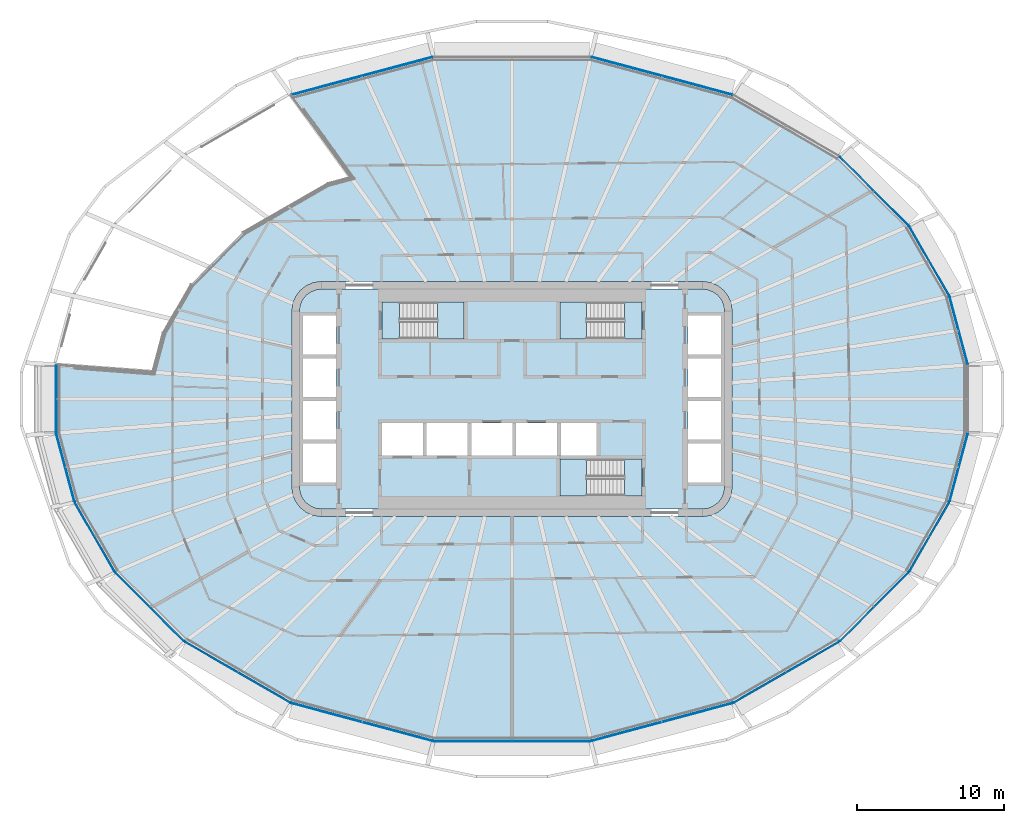
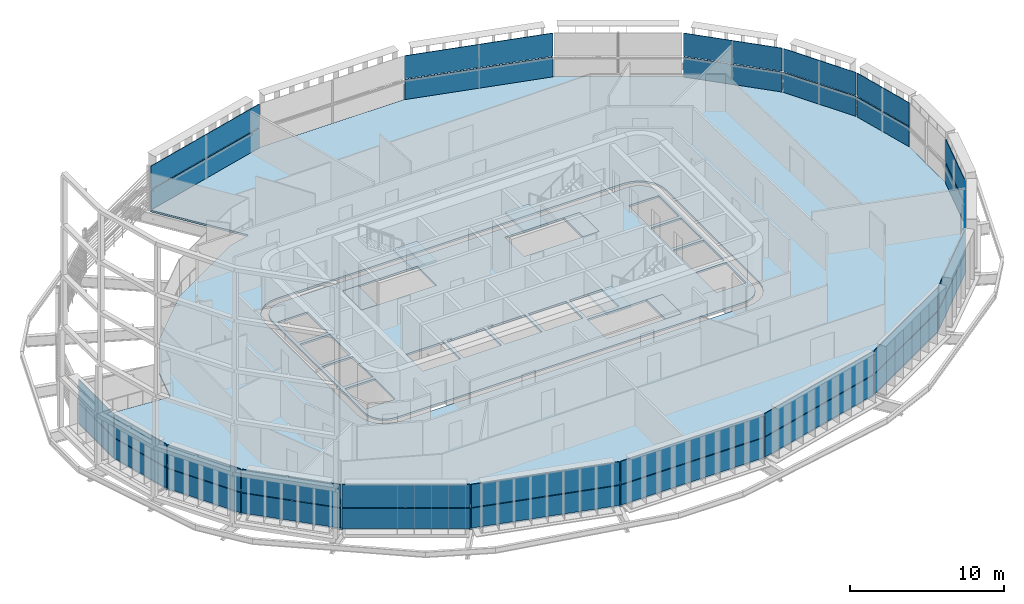
# One storey, part 10 of 22: 34 plates, 8 slabs, 20 elements without a shape of their own.
"""IFC4 building model written with IfcOpenShell, lengths in metres."""

from ifc_helpers import new_model, si_unit, direction, frame, origin, place, context, subcontext, project, spatial, polyline, outline, extrude, material, layer, layer_set, type_object, element, aggregate, save


model = new_model("IFC4")

# Units and contexts
model_context = context("Model", 3, precision=1e-05, world=origin(), true_north=direction((0.0, 1.0)))
body_context = subcontext(model_context, "Body", "Model", "MODEL_VIEW")
ifc_project = project(units=[si_unit("LENGTHUNIT", "METRE"), si_unit("AREAUNIT", "SQUARE_METRE"), si_unit("VOLUMEUNIT", "CUBIC_METRE"), si_unit("PLANEANGLEUNIT", "RADIAN"), si_unit("MASSUNIT", "GRAM", prefix="KILO")], contexts=[model_context])

# Site, building, storey
site_placement = place(None, origin())
site = spatial("IfcSite", under=ifc_project, at=site_placement, CompositionType="ELEMENT")
building_placement = place(site_placement, origin())
building = spatial("IfcBuilding", under=site, at=building_placement, Name="Sahrelin Media Tower", CompositionType="ELEMENT")
storey_placement = place(building_placement, frame((0.0, 0.0, 177.60009765625)))
storey = spatial("IfcBuildingStorey", under=building, at=storey_placement, Name="L37", CompositionType="ELEMENT", Elevation=177.60009765625)

# Slabs
ifc_material_1 = material(Name="Concrete C40/50", Category="concrete")
ifc_layer_1 = layer(ifc_material_1, 0.14990234375)
ifc_layer_set_1 = layer_set([ifc_layer_1], Name="Composite floor slab 150")
slab_type_1 = type_object("IfcSlabType", Name="Composite floor slab 150", PredefinedType="FLOOR", material=ifc_layer_set_1)
placement_1 = place(storey_placement, frame((0.0, 0.0, -0.150146484375)))
element("IfcSlab", 1, at=placement_1, inside=storey, type_object=slab_type_1, Name="Floor slab L37", PredefinedType="FLOOR", context=body_context, shape_type="SweptSolid", body=[
    extrude(outline(polyline([(29.80615234375, -7.005126953125), (31.061767578125, -2.319091796875), (31.061767578125, 2.319091796875), (29.80615234375, 7.005126953125), (27.0458984375, 11.7861328125), (22.30224609375, 16.52978515625), (15.060302734375, 20.7109375), (5.3798828125, 23.3046875), (-5.3798828125, 23.3046875), (-15.055419921875, 20.71240234375), (-10.973876953125, 15.097412109375), (-12.55908203125, 14.672607421875), (-18.323486328125, 11.344482421875), (-21.860595703125, 7.807373046875), (-23.767822265625, 4.50390625), (-24.484619140625, 1.8291015625), (-31.061279296875, 2.3203125), (-31.061767578125, 2.319091796875), (-31.061767578125, -2.319091796875), (-29.80615234375, -7.005126953125), (-27.0458984375, -11.7861328125), (-22.30224609375, -16.52978515625), (-15.060302734375, -20.7109375), (-5.3798828125, -23.3046875), (5.3798828125, -23.3046875), (15.060302734375, -20.7109375), (22.30224609375, -16.52978515625), (27.0458984375, -11.7861328125), (29.80615234375, -7.005126953125)]), holes=[polyline([(14.732177734375, 7.0), (14.931884765625, 6.517578125), (15.0, 6.0), (15.0, -6.0), (14.931884765625, -6.517578125), (14.732177734375, -7.0), (14.414306640625, -7.414306640625), (14.0, -7.732177734375), (13.517578125, -7.931884765625), (13.0, -8.0), (-13.0, -8.0), (-13.517578125, -7.931884765625), (-14.0, -7.732177734375), (-14.414306640625, -7.414306640625), (-14.732177734375, -7.0), (-14.931884765625, -6.517578125), (-15.0, -6.0), (-15.0, 6.0), (-14.931884765625, 6.517578125), (-14.732177734375, 7.0), (-14.414306640625, 7.414306640625), (-14.0, 7.732177734375), (-13.517578125, 7.931884765625), (-13.0, 8.0), (13.0, 8.0), (13.517578125, 7.931884765625), (14.0, 7.732177734375), (14.414306640625, 7.414306640625), (14.732177734375, 7.0)])]), origin(), (0.0, 0.0, 1.0), 0.150146484375),
])
ifc_layer_2 = layer(ifc_material_1, 0.14990234375)
ifc_layer_set_2 = layer_set([ifc_layer_2], Name="Core floor slab 150")
slab_type_2 = type_object("IfcSlabType", Name="Core floor slab 150", PredefinedType="FLOOR", material=ifc_layer_set_2)
element("IfcSlab", 2, at=placement_1, inside=storey, type_object=slab_type_2, Name="Core floor", PredefinedType="FLOOR", context=body_context, shape_type="SweptSolid", body=[
    extrude(outline(polyline([(-14.44482421875, 6.38720703125), (-14.5, 5.96728515625), (-14.5, -5.96728515625), (-14.44482421875, -6.38720703125), (-14.29541015625, -6.747802734375), (-14.0576171875, -7.0576171875), (-13.747802734375, -7.29541015625), (-13.38720703125, -7.44482421875), (-12.96728515625, -7.5), (12.96728515625, -7.5), (13.38720703125, -7.44482421875), (13.747802734375, -7.29541015625), (14.0576171875, -7.0576171875), (14.29541015625, -6.747802734375), (14.44482421875, -6.38720703125), (14.5, -5.96728515625), (14.5, 5.96728515625), (14.44482421875, 6.38720703125), (14.29541015625, 6.747802734375), (14.0576171875, 7.0576171875), (13.747802734375, 7.29541015625), (13.38720703125, 7.44482421875), (12.96728515625, 7.5), (-12.96728515625, 7.5), (-13.38720703125, 7.44482421875), (-13.747802734375, 7.29541015625), (-14.0576171875, 7.0576171875), (-14.29541015625, 6.747802734375), (-14.44482421875, 6.38720703125)]), holes=[polyline([(-12.0, 3.02490234375), (-12.0, 5.675048828125), (-14.25, 5.675048828125), (-14.25, 3.02490234375), (-12.0, 3.02490234375)]), polyline([(-14.25, 0.125), (-12.0, 0.125), (-12.0, 2.77490234375), (-14.25, 2.77490234375), (-14.25, 0.125)]), polyline([(-14.25, -0.125), (-14.25, -2.77490234375), (-12.0, -2.77490234375), (-12.0, -0.125), (-14.25, -0.125)]), polyline([(-12.0, -3.02490234375), (-14.25, -3.02490234375), (-14.25, -5.675048828125), (-12.0, -5.675048828125), (-12.0, -3.02490234375)]), polyline([(14.25, 3.02490234375), (14.25, 5.675048828125), (12.0, 5.675048828125), (12.0, 3.02490234375), (14.25, 3.02490234375)]), polyline([(12.0, 0.125), (14.25, 0.125), (14.25, 2.77490234375), (12.0, 2.77490234375), (12.0, 0.125)]), polyline([(12.0, -0.125), (12.0, -2.77490234375), (14.25, -2.77490234375), (14.25, -0.125), (12.0, -0.125)]), polyline([(14.25, -3.02490234375), (12.0, -3.02490234375), (12.0, -5.675048828125), (14.25, -5.675048828125), (14.25, -3.02490234375)]), polyline([(-6.074951171875, -3.85009765625), (-6.074951171875, -1.64990234375), (-8.875, -1.64990234375), (-8.875, -3.85009765625), (-6.074951171875, -3.85009765625)]), polyline([(-5.824951171875, -3.85009765625), (-3.02490234375, -3.85009765625), (-3.02490234375, -1.64990234375), (-5.824951171875, -1.64990234375), (-5.824951171875, -3.85009765625)]), polyline([(-2.77490234375, -1.64990234375), (-2.77490234375, -3.85009765625), (0.02490234375, -3.85009765625), (0.02490234375, -1.64990234375), (-2.77490234375, -1.64990234375)]), polyline([(3.074951171875, -1.64990234375), (0.27490234375, -1.64990234375), (0.27490234375, -3.85009765625), (3.074951171875, -3.85009765625), (3.074951171875, -1.64990234375)]), polyline([(5.77490234375, -3.85009765625), (5.77490234375, -1.64990234375), (3.324951171875, -1.64990234375), (3.324951171875, -3.85009765625), (5.77490234375, -3.85009765625)]), polyline([(-8.875, 6.60009765625), (-8.875, 4.10009765625), (-3.27490234375, 4.10009765625), (-3.27490234375, 6.60009765625), (-8.875, 6.60009765625)]), polyline([(3.27490234375, 4.10009765625), (8.875, 4.10009765625), (8.875, 6.60009765625), (3.27490234375, 6.60009765625), (3.27490234375, 4.10009765625)]), polyline([(3.27490234375, -4.10009765625), (3.27490234375, -6.60009765625), (8.875, -6.60009765625), (8.875, -4.10009765625), (3.27490234375, -4.10009765625)])]), origin(), (0.0, 0.0, 1.0), 0.150146484375),
])

# Curtain wall, plate
ifc_material_2 = material(Name="Champagne anodised aluminium 6063-T6", Category="aluminium")
ifc_layer_3 = layer(ifc_material_2, 0.14990234375)
ifc_layer_set_3 = layer_set([ifc_layer_3], Name="Tower ribbon curtain wall")
curtain_wall_type = type_object("IfcCurtainWallType", Name="Tower ribbon curtain wall", PredefinedType="NOTDEFINED", material=ifc_layer_set_3)
curtain_wall_1_placement = place(storey_placement, frame((30.453369140625, 4.667236328125, 0.0), z_axis=(0.0, 0.0, 1.0), x_axis=(1.0, 0.0, 0.0)))
curtain_wall_1 = element("IfcCurtainWall", 3, at=curtain_wall_1_placement, inside=storey, type_object=curtain_wall_type, Name="L37:CW:L37-01", PredefinedType="NOTDEFINED")
ifc_material_3 = material(Name="Clear low-iron glazing", Category="glass")
ifc_layer_4 = layer(ifc_material_3, 0.0439453125)
ifc_layer_set_4 = layer_set([ifc_layer_4], Name="Glazing panel 44 mm CW1B")
plate_type_1 = type_object("IfcPlateType", Name="Glazing panel 44 mm CW1B", PredefinedType="CURTAIN_PANEL", material=ifc_layer_set_4)
plate_1_placement = place(storey_placement, frame((31.088134765625, 2.375244140625, 1.6298828125), z_axis=(0.965932701942, 0.258793383452, 0.0), x_axis=(-0.258793383452, 0.965932701942, 0.0)))
plate_1 = element("IfcPlate", 4, at=plate_1_placement, type_object=plate_type_1, Name="L37:CWP2:L37-01", PredefinedType="CURTAIN_PANEL", context=body_context, shape_type="SweptSolid", body=[
    extrude(outline(polyline([(0.0, 0.0), (4.756591796875, 0.0), (4.756591796875, 1.818603515625), (0.0, 1.818603515625), (0.0, 0.0)])), origin(), (0.0, 0.0, -1.0), 0.0439453125),
])

curtain_wall_2_placement = place(storey_placement, frame((28.443359375, 9.405517578125, 0.0), z_axis=(0.0, 0.0, 1.0), x_axis=(1.0, 0.0, 0.0)))
curtain_wall_2 = element("IfcCurtainWall", 5, at=curtain_wall_2_placement, inside=storey, type_object=curtain_wall_type, Name="L37:CW:L37-02", PredefinedType="NOTDEFINED")
plate_2_placement = place(storey_placement, frame((29.817138671875, 7.066162109375, 1.6298828125), z_axis=(0.866010998129, 0.500024950497, 0.0), x_axis=(-0.500024950497, 0.866010998129, 0.0)))
plate_2 = element("IfcPlate", 6, at=plate_2_placement, type_object=plate_type_1, Name="L37:CWP2:L37-02", PredefinedType="CURTAIN_PANEL", context=body_context, shape_type="SweptSolid", body=[
    extrude(outline(polyline([(0.0, 0.0), (5.426025390625, 0.0), (5.426025390625, 1.818603515625), (0.0, 1.818603515625), (0.0, 0.0)])), origin(), (0.0, 0.0, -1.0), 0.0439453125),
])

curtain_wall_3_placement = place(storey_placement, frame((24.688232421875, 14.172119140625, 0.0), z_axis=(0.0, 0.0, 1.0), x_axis=(1.0, 0.0, 0.0)))
curtain_wall_3 = element("IfcCurtainWall", 7, at=curtain_wall_3_placement, inside=storey, type_object=curtain_wall_type, Name="L37:CW:L37-03", PredefinedType="NOTDEFINED")
plate_3_placement = place(storey_placement, frame((27.04052734375, 11.847900390625, 1.6298828125), z_axis=(0.707125237963, 0.707088323929, 0.0), x_axis=(-0.707088323929, 0.707125237963, 0.0)))
plate_3 = element("IfcPlate", 8, at=plate_3_placement, type_object=plate_type_1, Name="L37:CWP2:L37-03", PredefinedType="CURTAIN_PANEL", context=body_context, shape_type="SweptSolid", body=[
    extrude(outline(polyline([(0.0, 0.0), (6.61376953125, 0.0), (6.61376953125, 1.818603515625), (0.0, 1.818603515625), (0.0, 0.0)])), origin(), (0.0, 0.0, -1.0), 0.0439453125),
])

curtain_wall_4_placement = place(storey_placement, frame((10.22509765625, 22.027099609375, 0.0), z_axis=(0.0, 0.0, 1.0), x_axis=(1.0, 0.0, 0.0)))
curtain_wall_4 = element("IfcCurtainWall", 9, at=curtain_wall_4_placement, inside=storey, type_object=curtain_wall_type, Name="L37:CW:L37-05", PredefinedType="NOTDEFINED")
plate_4_placement = place(storey_placement, frame((15.02490234375, 20.761962890625, 1.6298828125), z_axis=(0.258796730474, 0.965931805199, 0.0), x_axis=(-0.965931805199, 0.258796730474, 0.0)))
plate_4 = element("IfcPlate", 10, at=plate_4_placement, type_object=plate_type_1, Name="L37:CWP2:L37-05", PredefinedType="CURTAIN_PANEL", context=body_context, shape_type="SweptSolid", body=[
    extrude(outline(polyline([(0.0, 0.0), (9.927001953125, 0.0), (9.927001953125, 1.818603515625), (0.0, 1.818603515625), (0.0, 0.0)])), origin(), (0.0, 0.0, -1.0), 0.0439453125),
])

curtain_wall_5_placement = place(storey_placement, frame((-10.22509765625, 22.027099609375, 0.0), z_axis=(0.0, 0.0, 1.0), x_axis=(1.0, 0.0, 0.0)))
curtain_wall_5 = element("IfcCurtainWall", 11, at=curtain_wall_5_placement, inside=storey, type_object=curtain_wall_type, Name="L37:CW:L37-07", PredefinedType="NOTDEFINED")
plate_5_placement = place(storey_placement, frame((-5.43603515625, 23.3310546875, 1.6298828125), z_axis=(-0.258796730474, 0.965931805199, 0.0), x_axis=(-0.965931805199, -0.258796730474, 0.0)))
plate_5 = element("IfcPlate", 12, at=plate_5_placement, type_object=plate_type_1, Name="L37:CWP2:L37-07", PredefinedType="CURTAIN_PANEL", context=body_context, shape_type="SweptSolid", body=[
    extrude(outline(polyline([(0.0, 0.0), (9.927001953125, 0.0), (9.927001953125, 1.818603515625), (0.0, 1.818603515625), (0.0, 0.0)])), origin(), (0.0, 0.0, -1.0), 0.0439453125),
])

curtain_wall_6_placement = place(storey_placement, frame((-31.081787109375, 0.0, 0.0), z_axis=(0.0, 0.0, 1.0), x_axis=(1.0, 0.0, 0.0)))
curtain_wall_6 = element("IfcCurtainWall", 13, at=curtain_wall_6_placement, inside=storey, type_object=curtain_wall_type, Name="L37:CW:L37-12", PredefinedType="NOTDEFINED")
plate_6_placement = place(storey_placement, frame((-31.101806640625, 2.271728515625, 1.6298828125), z_axis=(-1.0, 0.0, 0.0), x_axis=(0.0, -1.0, 0.0)))
plate_6 = element("IfcPlate", 14, at=plate_6_placement, type_object=plate_type_1, Name="L37:CWP2:L37-12", PredefinedType="CURTAIN_PANEL", context=body_context, shape_type="SweptSolid", body=[
    extrude(outline(polyline([(0.0, 0.0), (4.54345703125, 0.0), (4.54345703125, 1.818603515625), (0.0, 1.818603515625), (0.0, 0.0)])), origin(), (0.0, 0.0, -1.0), 0.0439453125),
])

curtain_wall_7_placement = place(storey_placement, frame((-30.453369140625, -4.667236328125, 0.0), z_axis=(0.0, 0.0, 1.0), x_axis=(1.0, 0.0, 0.0)))
curtain_wall_7 = element("IfcCurtainWall", 15, at=curtain_wall_7_placement, inside=storey, type_object=curtain_wall_type, Name="L37:CW:L37-13", PredefinedType="NOTDEFINED")
plate_7_placement = place(storey_placement, frame((-31.088134765625, -2.375244140625, 1.6298828125), z_axis=(-0.965932701942, -0.258793383452, 0.0), x_axis=(0.258793383452, -0.965932701942, 0.0)))
plate_7 = element("IfcPlate", 16, at=plate_7_placement, type_object=plate_type_1, Name="L37:CWP2:L37-13", PredefinedType="CURTAIN_PANEL", context=body_context, shape_type="SweptSolid", body=[
    extrude(outline(polyline([(0.0, 0.0), (4.756591796875, 0.0), (4.756591796875, 1.818603515625), (0.0, 1.818603515625), (0.0, 0.0)])), origin(), (0.0, 0.0, -1.0), 0.0439453125),
])

curtain_wall_8_placement = place(storey_placement, frame((-28.443359375, -9.405517578125, 0.0), z_axis=(0.0, 0.0, 1.0), x_axis=(1.0, 0.0, 0.0)))
curtain_wall_8 = element("IfcCurtainWall", 17, at=curtain_wall_8_placement, inside=storey, type_object=curtain_wall_type, Name="L37:CW:L37-14", PredefinedType="NOTDEFINED")
plate_8_placement = place(storey_placement, frame((-29.817138671875, -7.066162109375, 1.6298828125), z_axis=(-0.866010998129, -0.500024950497, 0.0), x_axis=(0.500024950497, -0.866010998129, 0.0)))
plate_8 = element("IfcPlate", 18, at=plate_8_placement, type_object=plate_type_1, Name="L37:CWP2:L37-14", PredefinedType="CURTAIN_PANEL", context=body_context, shape_type="SweptSolid", body=[
    extrude(outline(polyline([(0.0, 0.0), (5.426025390625, 0.0), (5.426025390625, 1.818603515625), (0.0, 1.818603515625), (0.0, 0.0)])), origin(), (0.0, 0.0, -1.0), 0.0439453125),
])

curtain_wall_9_placement = place(storey_placement, frame((-24.688232421875, -14.172119140625, 0.0), z_axis=(0.0, 0.0, 1.0), x_axis=(1.0, 0.0, 0.0)))
curtain_wall_9 = element("IfcCurtainWall", 19, at=curtain_wall_9_placement, inside=storey, type_object=curtain_wall_type, Name="L37:CW:L37-15", PredefinedType="NOTDEFINED")
plate_9_placement = place(storey_placement, frame((-27.04052734375, -11.847900390625, 1.6298828125), z_axis=(-0.707125237963, -0.707088323929, 0.0), x_axis=(0.707088323929, -0.707125237963, 0.0)))
plate_9 = element("IfcPlate", 20, at=plate_9_placement, type_object=plate_type_1, Name="L37:CWP2:L37-15", PredefinedType="CURTAIN_PANEL", context=body_context, shape_type="SweptSolid", body=[
    extrude(outline(polyline([(0.0, 0.0), (6.61376953125, 0.0), (6.61376953125, 1.818603515625), (0.0, 1.818603515625), (0.0, 0.0)])), origin(), (0.0, 0.0, -1.0), 0.0439453125),
])

curtain_wall_10_placement = place(storey_placement, frame((-18.691162109375, -18.6376953125, 0.0), z_axis=(0.0, 0.0, 1.0), x_axis=(1.0, 0.0, 0.0)))
curtain_wall_10 = element("IfcCurtainWall", 21, at=curtain_wall_10_placement, inside=storey, type_object=curtain_wall_type, Name="L37:CW:L37-16", PredefinedType="NOTDEFINED")
plate_10_placement = place(storey_placement, frame((-22.28125, -16.588134765625, 1.6298828125), z_axis=(-0.499988291006, -0.866032163869, 0.0), x_axis=(0.866032163869, -0.499988291006, 0.0)))
plate_10 = element("IfcPlate", 22, at=plate_10_placement, type_object=plate_type_1, Name="L37:CWP2:L37-16", PredefinedType="CURTAIN_PANEL", context=body_context, shape_type="SweptSolid", body=[
    extrude(outline(polyline([(0.0, 0.0), (8.267822265625, 0.0), (8.267822265625, 1.818603515625), (0.0, 1.818603515625), (0.0, 0.0)])), origin(), (0.0, 0.0, -1.0), 0.0439453125),
])

curtain_wall_11_placement = place(storey_placement, frame((-10.22509765625, -22.027099609375, 0.0), z_axis=(0.0, 0.0, 1.0), x_axis=(1.0, 0.0, 0.0)))
curtain_wall_11 = element("IfcCurtainWall", 23, at=curtain_wall_11_placement, inside=storey, type_object=curtain_wall_type, Name="L37:CW:L37-17", PredefinedType="NOTDEFINED")
plate_11_placement = place(storey_placement, frame((-15.02490234375, -20.761962890625, 1.6298828125), z_axis=(-0.258796730474, -0.965931805199, 0.0), x_axis=(0.965931805199, -0.258796730474, 0.0)))
plate_11 = element("IfcPlate", 24, at=plate_11_placement, type_object=plate_type_1, Name="L37:CWP2:L37-17", PredefinedType="CURTAIN_PANEL", context=body_context, shape_type="SweptSolid", body=[
    extrude(outline(polyline([(0.0, 0.0), (9.927001953125, 0.0), (9.927001953125, 1.818603515625), (0.0, 1.818603515625), (0.0, 0.0)])), origin(), (0.0, 0.0, -1.0), 0.0439453125),
])

curtain_wall_12_placement = place(storey_placement, frame((0.0, -23.32470703125, 0.0), z_axis=(0.0, 0.0, 1.0), x_axis=(1.0, 0.0, 0.0)))
curtain_wall_12 = element("IfcCurtainWall", 25, at=curtain_wall_12_placement, inside=storey, type_object=curtain_wall_type, Name="L37:CW:L37-18", PredefinedType="NOTDEFINED")
plate_12_placement = place(storey_placement, frame((-5.33251953125, -23.3447265625, 1.6298828125), z_axis=(0.0, -1.0, 0.0), x_axis=(1.0, 0.0, 0.0)))
plate_12 = element("IfcPlate", 26, at=plate_12_placement, type_object=plate_type_1, Name="L37:CWP2:L37-18", PredefinedType="CURTAIN_PANEL", context=body_context, shape_type="SweptSolid", body=[
    extrude(outline(polyline([(0.0, 0.0), (10.6650390625, 0.0), (10.6650390625, 1.818603515625), (0.0, 1.818603515625), (0.0, 0.0)])), origin(), (0.0, 0.0, -1.0), 0.0439453125),
])

curtain_wall_13_placement = place(storey_placement, frame((10.22509765625, -22.027099609375, 0.0), z_axis=(0.0, 0.0, 1.0), x_axis=(1.0, 0.0, 0.0)))
curtain_wall_13 = element("IfcCurtainWall", 27, at=curtain_wall_13_placement, inside=storey, type_object=curtain_wall_type, Name="L37:CW:L37-19", PredefinedType="NOTDEFINED")
plate_13_placement = place(storey_placement, frame((5.43603515625, -23.3310546875, 1.6298828125), z_axis=(0.258796730474, -0.965931805199, 0.0), x_axis=(0.965931805199, 0.258796730474, 0.0)))
plate_13 = element("IfcPlate", 28, at=plate_13_placement, type_object=plate_type_1, Name="L37:CWP2:L37-19", PredefinedType="CURTAIN_PANEL", context=body_context, shape_type="SweptSolid", body=[
    extrude(outline(polyline([(0.0, 0.0), (9.927001953125, 0.0), (9.927001953125, 1.818603515625), (0.0, 1.818603515625), (0.0, 0.0)])), origin(), (0.0, 0.0, -1.0), 0.0439453125),
])

curtain_wall_14_placement = place(storey_placement, frame((18.691162109375, -18.6376953125, 0.0), z_axis=(0.0, 0.0, 1.0), x_axis=(1.0, 0.0, 0.0)))
curtain_wall_14 = element("IfcCurtainWall", 29, at=curtain_wall_14_placement, inside=storey, type_object=curtain_wall_type, Name="L37:CW:L37-20", PredefinedType="NOTDEFINED")
plate_14_placement = place(storey_placement, frame((15.12109375, -20.721923828125, 1.6298828125), z_axis=(0.499988291006, -0.866032163869, 0.0), x_axis=(0.866032163869, 0.499988291006, 0.0)))
plate_14 = element("IfcPlate", 30, at=plate_14_placement, type_object=plate_type_1, Name="L37:CWP2:L37-20", PredefinedType="CURTAIN_PANEL", context=body_context, shape_type="SweptSolid", body=[
    extrude(outline(polyline([(0.0, 0.0), (8.267822265625, 0.0), (8.267822265625, 1.818603515625), (0.0, 1.818603515625), (0.0, 0.0)])), origin(), (0.0, 0.0, -1.0), 0.0439453125),
])

curtain_wall_15_placement = place(storey_placement, frame((24.688232421875, -14.172119140625, 0.0), z_axis=(0.0, 0.0, 1.0), x_axis=(1.0, 0.0, 0.0)))
curtain_wall_15 = element("IfcCurtainWall", 31, at=curtain_wall_15_placement, inside=storey, type_object=curtain_wall_type, Name="L37:CW:L37-21", PredefinedType="NOTDEFINED")
plate_15_placement = place(storey_placement, frame((22.364013671875, -16.524658203125, 1.6298828125), z_axis=(0.707125237963, -0.707088323929, 0.0), x_axis=(0.707088323929, 0.707125237963, 0.0)))
plate_15 = element("IfcPlate", 32, at=plate_15_placement, type_object=plate_type_1, Name="L37:CWP2:L37-21", PredefinedType="CURTAIN_PANEL", context=body_context, shape_type="SweptSolid", body=[
    extrude(outline(polyline([(0.0, 0.0), (6.61376953125, 0.0), (6.61376953125, 1.818603515625), (0.0, 1.818603515625), (0.0, 0.0)])), origin(), (0.0, 0.0, -1.0), 0.0439453125),
])

curtain_wall_16_placement = place(storey_placement, frame((28.443359375, -9.405517578125, 0.0), z_axis=(0.0, 0.0, 1.0), x_axis=(1.0, 0.0, 0.0)))
curtain_wall_16 = element("IfcCurtainWall", 33, at=curtain_wall_16_placement, inside=storey, type_object=curtain_wall_type, Name="L37:CW:L37-22", PredefinedType="NOTDEFINED")
plate_16_placement = place(storey_placement, frame((27.10400390625, -11.76513671875, 1.6298828125), z_axis=(0.866010998129, -0.500024950497, 0.0), x_axis=(0.500024950497, 0.866010998129, 0.0)))
plate_16 = element("IfcPlate", 34, at=plate_16_placement, type_object=plate_type_1, Name="L37:CWP2:L37-22", PredefinedType="CURTAIN_PANEL", context=body_context, shape_type="SweptSolid", body=[
    extrude(outline(polyline([(0.0, 0.0), (5.426025390625, 0.0), (5.426025390625, 1.818603515625), (0.0, 1.818603515625), (0.0, 0.0)])), origin(), (0.0, 0.0, -1.0), 0.0439453125),
])

curtain_wall_17_placement = place(storey_placement, frame((30.453369140625, -4.667236328125, 0.0), z_axis=(0.0, 0.0, 1.0), x_axis=(1.0, 0.0, 0.0)))
curtain_wall_17 = element("IfcCurtainWall", 35, at=curtain_wall_17_placement, inside=storey, type_object=curtain_wall_type, Name="L37:CW:L37-23", PredefinedType="NOTDEFINED")
plate_17_placement = place(storey_placement, frame((29.857177734375, -6.9697265625, 1.6298828125), z_axis=(0.965932701942, -0.258793383452, 0.0), x_axis=(0.258793383452, 0.965932701942, 0.0)))
plate_17 = element("IfcPlate", 36, at=plate_17_placement, type_object=plate_type_1, Name="L37:CWP2:L37-23", PredefinedType="CURTAIN_PANEL", context=body_context, shape_type="SweptSolid", body=[
    extrude(outline(polyline([(0.0, 0.0), (4.756591796875, 0.0), (4.756591796875, 1.818603515625), (0.0, 1.818603515625), (0.0, 0.0)])), origin(), (0.0, 0.0, -1.0), 0.0439453125),
])

# Plate
ifc_material_4 = material(Name="Insulated spandrel panel")
ifc_layer_5 = layer(ifc_material_4, 0.06005859375)
ifc_layer_set_5 = layer_set([ifc_layer_5], Name="Spandrel panel 60 mm CW1")
plate_type_2 = type_object("IfcPlateType", Name="Spandrel panel 60 mm CW1", PredefinedType="SHEET", material=ifc_layer_set_5)
plate_18_placement = place(storey_placement, frame((31.088134765625, 2.375244140625, 0.0), z_axis=(0.965932701942, 0.258793383452, 0.0), x_axis=(-0.258793383452, 0.965932701942, 0.0)))
plate_18 = element("IfcPlate", 37, at=plate_18_placement, type_object=plate_type_2, Name="L37:CWP1:L37-01", PredefinedType="SHEET", context=body_context, shape_type="SweptSolid", body=[
    extrude(outline(polyline([(0.0, 0.0), (4.756591796875, 0.0), (4.756591796875, 1.56982421875), (0.0, 1.56982421875), (0.0, 0.0)])), origin(), (0.0, 0.0, -1.0), 0.06005859375),
])

aggregate(curtain_wall_1, [plate_18, plate_1])

plate_19_placement = place(storey_placement, frame((29.817138671875, 7.066162109375, 0.0), z_axis=(0.866010998129, 0.500024950497, 0.0), x_axis=(-0.500024950497, 0.866010998129, 0.0)))
plate_19 = element("IfcPlate", 38, at=plate_19_placement, type_object=plate_type_2, Name="L37:CWP1:L37-02", PredefinedType="SHEET", context=body_context, shape_type="SweptSolid", body=[
    extrude(outline(polyline([(0.0, 0.0), (5.426025390625, 0.0), (5.426025390625, 1.56982421875), (0.0, 1.56982421875), (0.0, 0.0)])), origin(), (0.0, 0.0, -1.0), 0.06005859375),
])

aggregate(curtain_wall_2, [plate_19, plate_2])

plate_20_placement = place(storey_placement, frame((27.04052734375, 11.847900390625, 0.0), z_axis=(0.707125237963, 0.707088323929, 0.0), x_axis=(-0.707088323929, 0.707125237963, 0.0)))
plate_20 = element("IfcPlate", 39, at=plate_20_placement, type_object=plate_type_2, Name="L37:CWP1:L37-03", PredefinedType="SHEET", context=body_context, shape_type="SweptSolid", body=[
    extrude(outline(polyline([(0.0, 0.0), (6.61376953125, 0.0), (6.61376953125, 1.56982421875), (0.0, 1.56982421875), (0.0, 0.0)])), origin(), (0.0, 0.0, -1.0), 0.06005859375),
])

aggregate(curtain_wall_3, [plate_20, plate_3])

plate_21_placement = place(storey_placement, frame((15.02490234375, 20.761962890625, 0.0), z_axis=(0.258796730474, 0.965931805199, 0.0), x_axis=(-0.965931805199, 0.258796730474, 0.0)))
plate_21 = element("IfcPlate", 40, at=plate_21_placement, type_object=plate_type_2, Name="L37:CWP1:L37-05", PredefinedType="SHEET", context=body_context, shape_type="SweptSolid", body=[
    extrude(outline(polyline([(0.0, 0.0), (9.927001953125, 0.0), (9.927001953125, 1.56982421875), (0.0, 1.56982421875), (0.0, 0.0)])), origin(), (0.0, 0.0, -1.0), 0.06005859375),
])

aggregate(curtain_wall_4, [plate_21, plate_4])

plate_22_placement = place(storey_placement, frame((-5.43603515625, 23.3310546875, 0.0), z_axis=(-0.258796730474, 0.965931805199, 0.0), x_axis=(-0.965931805199, -0.258796730474, 0.0)))
plate_22 = element("IfcPlate", 41, at=plate_22_placement, type_object=plate_type_2, Name="L37:CWP1:L37-07", PredefinedType="SHEET", context=body_context, shape_type="SweptSolid", body=[
    extrude(outline(polyline([(0.0, 0.0), (9.927001953125, 0.0), (9.927001953125, 1.56982421875), (0.0, 1.56982421875), (0.0, 0.0)])), origin(), (0.0, 0.0, -1.0), 0.06005859375),
])

aggregate(curtain_wall_5, [plate_22, plate_5])

plate_23_placement = place(storey_placement, frame((-31.101806640625, 2.271728515625, 0.0), z_axis=(-1.0, 0.0, 0.0), x_axis=(0.0, -1.0, 0.0)))
plate_23 = element("IfcPlate", 42, at=plate_23_placement, type_object=plate_type_2, Name="L37:CWP1:L37-12", PredefinedType="SHEET", context=body_context, shape_type="SweptSolid", body=[
    extrude(outline(polyline([(0.0, 0.0), (4.54345703125, 0.0), (4.54345703125, 1.56982421875), (0.0, 1.56982421875), (0.0, 0.0)])), origin(), (0.0, 0.0, -1.0), 0.06005859375),
])

aggregate(curtain_wall_6, [plate_23, plate_6])

plate_24_placement = place(storey_placement, frame((-31.088134765625, -2.375244140625, 0.0), z_axis=(-0.965932701942, -0.258793383452, 0.0), x_axis=(0.258793383452, -0.965932701942, 0.0)))
plate_24 = element("IfcPlate", 43, at=plate_24_placement, type_object=plate_type_2, Name="L37:CWP1:L37-13", PredefinedType="SHEET", context=body_context, shape_type="SweptSolid", body=[
    extrude(outline(polyline([(0.0, 0.0), (4.756591796875, 0.0), (4.756591796875, 1.56982421875), (0.0, 1.56982421875), (0.0, 0.0)])), origin(), (0.0, 0.0, -1.0), 0.06005859375),
])

aggregate(curtain_wall_7, [plate_24, plate_7])

plate_25_placement = place(storey_placement, frame((-29.817138671875, -7.066162109375, 0.0), z_axis=(-0.866010998129, -0.500024950497, 0.0), x_axis=(0.500024950497, -0.866010998129, 0.0)))
plate_25 = element("IfcPlate", 44, at=plate_25_placement, type_object=plate_type_2, Name="L37:CWP1:L37-14", PredefinedType="SHEET", context=body_context, shape_type="SweptSolid", body=[
    extrude(outline(polyline([(0.0, 0.0), (5.426025390625, 0.0), (5.426025390625, 1.56982421875), (0.0, 1.56982421875), (0.0, 0.0)])), origin(), (0.0, 0.0, -1.0), 0.06005859375),
])

aggregate(curtain_wall_8, [plate_25, plate_8])

plate_26_placement = place(storey_placement, frame((-27.04052734375, -11.847900390625, 0.0), z_axis=(-0.707125237963, -0.707088323929, 0.0), x_axis=(0.707088323929, -0.707125237963, 0.0)))
plate_26 = element("IfcPlate", 45, at=plate_26_placement, type_object=plate_type_2, Name="L37:CWP1:L37-15", PredefinedType="SHEET", context=body_context, shape_type="SweptSolid", body=[
    extrude(outline(polyline([(0.0, 0.0), (6.61376953125, 0.0), (6.61376953125, 1.56982421875), (0.0, 1.56982421875), (0.0, 0.0)])), origin(), (0.0, 0.0, -1.0), 0.06005859375),
])

aggregate(curtain_wall_9, [plate_26, plate_9])

plate_27_placement = place(storey_placement, frame((-22.28125, -16.588134765625, 0.0), z_axis=(-0.499988291006, -0.866032163869, 0.0), x_axis=(0.866032163869, -0.499988291006, 0.0)))
plate_27 = element("IfcPlate", 46, at=plate_27_placement, type_object=plate_type_2, Name="L37:CWP1:L37-16", PredefinedType="SHEET", context=body_context, shape_type="SweptSolid", body=[
    extrude(outline(polyline([(0.0, 0.0), (8.267822265625, 0.0), (8.267822265625, 1.56982421875), (0.0, 1.56982421875), (0.0, 0.0)])), origin(), (0.0, 0.0, -1.0), 0.06005859375),
])

aggregate(curtain_wall_10, [plate_27, plate_10])

plate_28_placement = place(storey_placement, frame((-15.02490234375, -20.761962890625, 0.0), z_axis=(-0.258796730474, -0.965931805199, 0.0), x_axis=(0.965931805199, -0.258796730474, 0.0)))
plate_28 = element("IfcPlate", 47, at=plate_28_placement, type_object=plate_type_2, Name="L37:CWP1:L37-17", PredefinedType="SHEET", context=body_context, shape_type="SweptSolid", body=[
    extrude(outline(polyline([(0.0, 0.0), (9.927001953125, 0.0), (9.927001953125, 1.56982421875), (0.0, 1.56982421875), (0.0, 0.0)])), origin(), (0.0, 0.0, -1.0), 0.06005859375),
])

aggregate(curtain_wall_11, [plate_28, plate_11])

plate_29_placement = place(storey_placement, frame((-5.33251953125, -23.3447265625, 0.0), z_axis=(0.0, -1.0, 0.0), x_axis=(1.0, 0.0, 0.0)))
plate_29 = element("IfcPlate", 48, at=plate_29_placement, type_object=plate_type_2, Name="L37:CWP1:L37-18", PredefinedType="SHEET", context=body_context, shape_type="SweptSolid", body=[
    extrude(outline(polyline([(0.0, 0.0), (10.6650390625, 0.0), (10.6650390625, 1.56982421875), (0.0, 1.56982421875), (0.0, 0.0)])), origin(), (0.0, 0.0, -1.0), 0.06005859375),
])

aggregate(curtain_wall_12, [plate_29, plate_12])

plate_30_placement = place(storey_placement, frame((5.43603515625, -23.3310546875, 0.0), z_axis=(0.258796730474, -0.965931805199, 0.0), x_axis=(0.965931805199, 0.258796730474, 0.0)))
plate_30 = element("IfcPlate", 49, at=plate_30_placement, type_object=plate_type_2, Name="L37:CWP1:L37-19", PredefinedType="SHEET", context=body_context, shape_type="SweptSolid", body=[
    extrude(outline(polyline([(0.0, 0.0), (9.927001953125, 0.0), (9.927001953125, 1.56982421875), (0.0, 1.56982421875), (0.0, 0.0)])), origin(), (0.0, 0.0, -1.0), 0.06005859375),
])

aggregate(curtain_wall_13, [plate_30, plate_13])

plate_31_placement = place(storey_placement, frame((15.12109375, -20.721923828125, 0.0), z_axis=(0.499988291006, -0.866032163869, 0.0), x_axis=(0.866032163869, 0.499988291006, 0.0)))
plate_31 = element("IfcPlate", 50, at=plate_31_placement, type_object=plate_type_2, Name="L37:CWP1:L37-20", PredefinedType="SHEET", context=body_context, shape_type="SweptSolid", body=[
    extrude(outline(polyline([(0.0, 0.0), (8.267822265625, 0.0), (8.267822265625, 1.56982421875), (0.0, 1.56982421875), (0.0, 0.0)])), origin(), (0.0, 0.0, -1.0), 0.06005859375),
])

aggregate(curtain_wall_14, [plate_31, plate_14])

plate_32_placement = place(storey_placement, frame((22.364013671875, -16.524658203125, 0.0), z_axis=(0.707125237963, -0.707088323929, 0.0), x_axis=(0.707088323929, 0.707125237963, 0.0)))
plate_32 = element("IfcPlate", 51, at=plate_32_placement, type_object=plate_type_2, Name="L37:CWP1:L37-21", PredefinedType="SHEET", context=body_context, shape_type="SweptSolid", body=[
    extrude(outline(polyline([(0.0, 0.0), (6.61376953125, 0.0), (6.61376953125, 1.56982421875), (0.0, 1.56982421875), (0.0, 0.0)])), origin(), (0.0, 0.0, -1.0), 0.06005859375),
])

aggregate(curtain_wall_15, [plate_32, plate_15])

plate_33_placement = place(storey_placement, frame((27.10400390625, -11.76513671875, 0.0), z_axis=(0.866010998129, -0.500024950497, 0.0), x_axis=(0.500024950497, 0.866010998129, 0.0)))
plate_33 = element("IfcPlate", 52, at=plate_33_placement, type_object=plate_type_2, Name="L37:CWP1:L37-22", PredefinedType="SHEET", context=body_context, shape_type="SweptSolid", body=[
    extrude(outline(polyline([(0.0, 0.0), (5.426025390625, 0.0), (5.426025390625, 1.56982421875), (0.0, 1.56982421875), (0.0, 0.0)])), origin(), (0.0, 0.0, -1.0), 0.06005859375),
])

aggregate(curtain_wall_16, [plate_33, plate_16])

plate_34_placement = place(storey_placement, frame((29.857177734375, -6.9697265625, 0.0), z_axis=(0.965932701942, -0.258793383452, 0.0), x_axis=(0.258793383452, 0.965932701942, 0.0)))
plate_34 = element("IfcPlate", 53, at=plate_34_placement, type_object=plate_type_2, Name="L37:CWP1:L37-23", PredefinedType="SHEET", context=body_context, shape_type="SweptSolid", body=[
    extrude(outline(polyline([(0.0, 0.0), (4.756591796875, 0.0), (4.756591796875, 1.56982421875), (0.0, 1.56982421875), (0.0, 0.0)])), origin(), (0.0, 0.0, -1.0), 0.06005859375),
])

aggregate(curtain_wall_17, [plate_34, plate_17])

# Stair, slabs
stair_type = type_object("IfcStairType", Name="Exit stair 1200", PredefinedType="HALF_TURN_STAIR", material=ifc_material_1)
placement_2 = place(storey_placement, origin())
stair_1 = element("IfcStair", 54, at=placement_2, inside=storey, type_object=stair_type, Name="L37 Exit stair ST1", PredefinedType="HALF_TURN_STAIR")
ifc_layer_6 = layer(ifc_material_1, 0.199951171875)
ifc_layer_set_6 = layer_set([ifc_layer_6], Name="Stair landing 200")
slab_type_3 = type_object("IfcSlabType", Name="Stair landing 200", PredefinedType="LANDING", material=ifc_layer_set_6)
placement_3 = place(storey_placement, frame((0.0, 0.0, 1.7998046875)))
slab_3 = element("IfcSlab", 55, at=placement_3, type_object=slab_type_3, Name="ST1 landing 1", PredefinedType="LANDING", context=body_context, shape_type="SweptSolid", body=[
    extrude(outline(polyline([(-5.074951171875, 4.10009765625), (-3.27490234375, 4.10009765625), (-3.27490234375, 6.60009765625), (-5.074951171875, 6.60009765625), (-5.074951171875, 4.10009765625)])), origin(), (0.0, 0.0, 1.0), 0.2001953125),
])
placement_4 = place(storey_placement, frame((0.0, 0.0, -0.2001953125)))
slab_4 = element("IfcSlab", 56, at=placement_4, type_object=slab_type_3, Name="ST1 landing 2", PredefinedType="LANDING", context=body_context, shape_type="SweptSolid", body=[
    extrude(outline(polyline([(-8.875, 4.10009765625), (-7.675048828125, 4.10009765625), (-7.675048828125, 6.60009765625), (-8.875, 6.60009765625), (-8.875, 4.10009765625)])), origin(), (0.0, 0.0, 1.0), 0.2001953125),
])
aggregate(stair_1, [slab_3, slab_4])

stair_2 = element("IfcStair", 57, at=placement_2, inside=storey, type_object=stair_type, Name="L37 Exit stair ST3", PredefinedType="HALF_TURN_STAIR")
slab_5 = element("IfcSlab", 58, at=placement_3, type_object=slab_type_3, Name="ST3 landing 1", PredefinedType="LANDING", context=body_context, shape_type="SweptSolid", body=[
    extrude(outline(polyline([(5.074951171875, 6.60009765625), (3.27490234375, 6.60009765625), (3.27490234375, 4.10009765625), (5.074951171875, 4.10009765625), (5.074951171875, 6.60009765625)])), origin(), (0.0, 0.0, 1.0), 0.2001953125),
])
slab_6 = element("IfcSlab", 59, at=placement_4, type_object=slab_type_3, Name="ST3 landing 2", PredefinedType="LANDING", context=body_context, shape_type="SweptSolid", body=[
    extrude(outline(polyline([(8.875, 6.60009765625), (7.675048828125, 6.60009765625), (7.675048828125, 4.10009765625), (8.875, 4.10009765625), (8.875, 6.60009765625)])), origin(), (0.0, 0.0, 1.0), 0.2001953125),
])
aggregate(stair_2, [slab_5, slab_6])

stair_3 = element("IfcStair", 60, at=placement_2, inside=storey, type_object=stair_type, Name="L37 Exit stair ST2", PredefinedType="HALF_TURN_STAIR")
slab_7 = element("IfcSlab", 61, at=placement_3, type_object=slab_type_3, Name="ST2 landing 1", PredefinedType="LANDING", context=body_context, shape_type="SweptSolid", body=[
    extrude(outline(polyline([(5.074951171875, -4.10009765625), (3.27490234375, -4.10009765625), (3.27490234375, -6.60009765625), (5.074951171875, -6.60009765625), (5.074951171875, -4.10009765625)])), origin(), (0.0, 0.0, 1.0), 0.2001953125),
])
slab_8 = element("IfcSlab", 62, at=placement_4, type_object=slab_type_3, Name="ST2 landing 2", PredefinedType="LANDING", context=body_context, shape_type="SweptSolid", body=[
    extrude(outline(polyline([(8.875, -4.10009765625), (7.675048828125, -4.10009765625), (7.675048828125, -6.60009765625), (8.875, -6.60009765625), (8.875, -4.10009765625)])), origin(), (0.0, 0.0, 1.0), 0.2001953125),
])
aggregate(stair_3, [slab_7, slab_8])

save(model, "model.ifc")
